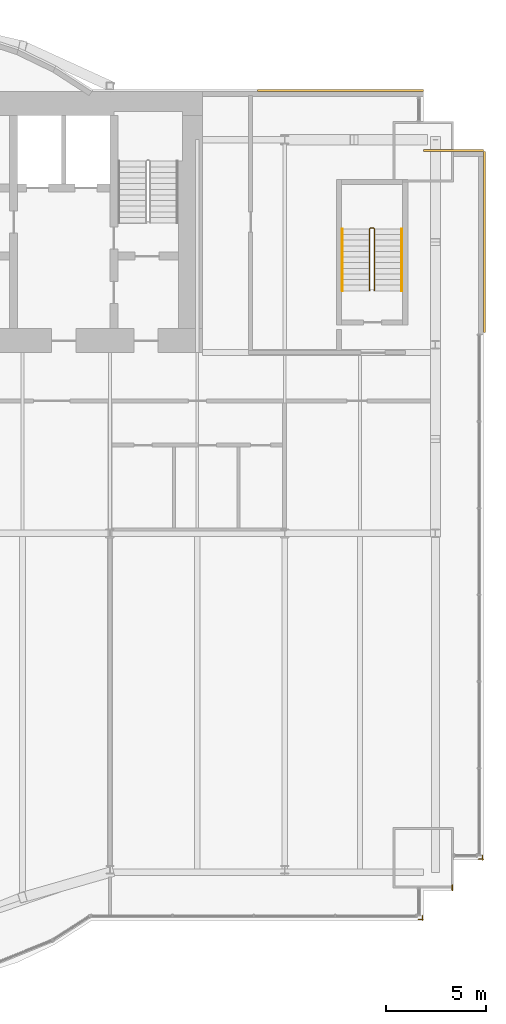
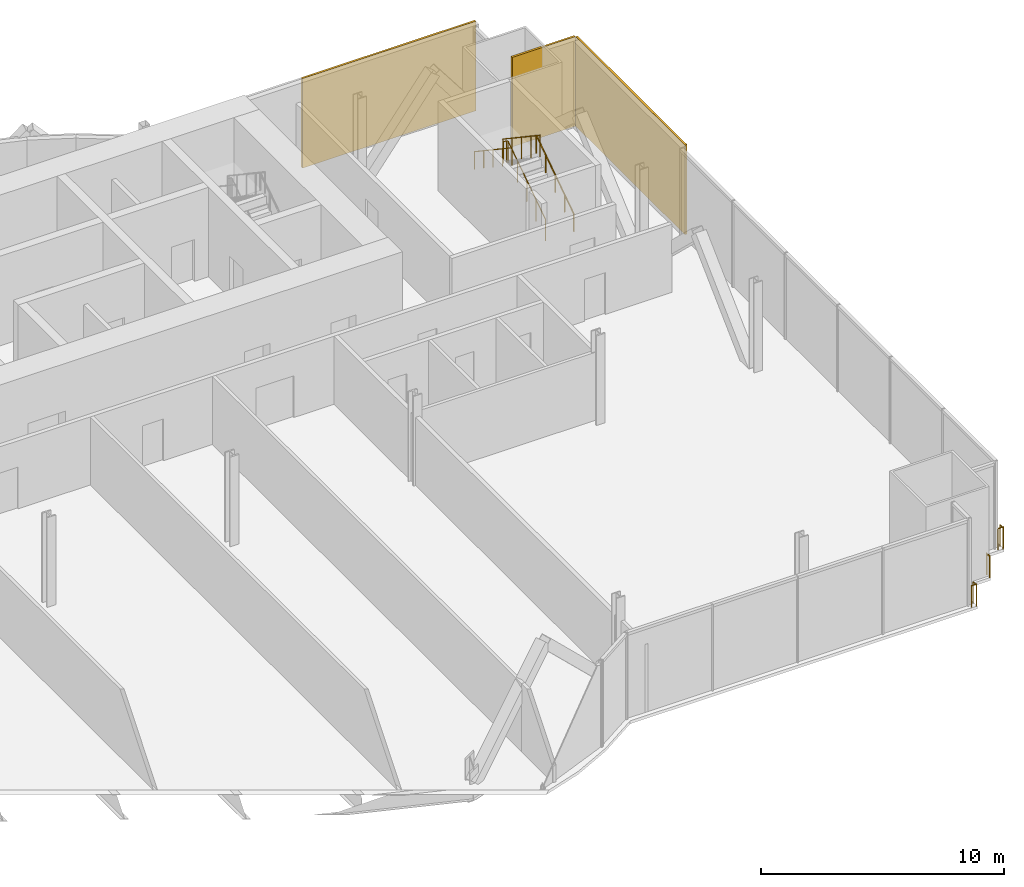
# One storey, part 21 of 21: 6 railings, 3 coverings.
"""IFC4 building model written with IfcOpenShell, lengths in metres."""

from ifc_helpers import new_model, si_unit, direction, frame, origin, origin_2d, place, context, subcontext, project, spatial, rectangle, circle, extrude, material, layer, layer_set, type_object, element, save


model = new_model("IFC4")

# Units and contexts
model_context = context("Model", 3, precision=1e-05, world=origin(), true_north=direction((0.0, 1.0)))
body_context = subcontext(model_context, "Body", "Model", "MODEL_VIEW")
ifc_project = project(units=[si_unit("LENGTHUNIT", "METRE"), si_unit("AREAUNIT", "SQUARE_METRE"), si_unit("VOLUMEUNIT", "CUBIC_METRE"), si_unit("PLANEANGLEUNIT", "RADIAN"), si_unit("MASSUNIT", "GRAM", prefix="KILO")], contexts=[model_context])

# Site, building, storey
site_placement = place(None, origin())
site = spatial("IfcSite", under=ifc_project, at=site_placement, CompositionType="ELEMENT")
building_placement = place(site_placement, origin())
building = spatial("IfcBuilding", under=site, at=building_placement, Name="Bicima Exchange Tower", CompositionType="ELEMENT")
storey_placement = place(building_placement, frame((0.0, 0.0, 48.5)))
storey = spatial("IfcBuildingStorey", under=building, at=storey_placement, Name="L09", CompositionType="ELEMENT", Elevation=48.5)

# Coverings
ifc_material_1 = material(Name="Bronze metal cladding")
ifc_layer_1 = layer(ifc_material_1, 0.004)
ifc_material_2 = material(Name="Ventilated cavity")
ifc_layer_2 = layer(ifc_material_2, 0.06)
ifc_material_3 = material(Name="Galvanised steel rail and mineral wool", Category="steel")
ifc_layer_3 = layer(ifc_material_3, 0.036)
ifc_layer_set = layer_set([ifc_layer_1, ifc_layer_2, ifc_layer_3], Name="Ventilated cavity")
covering_type = type_object("IfcCoveringType", Name="Bronze metal cladding panel 100", PredefinedType="CLADDING", material=ifc_layer_set)
covering_1_placement = place(storey_placement, frame((28.875, 0.050048828125, -0.14990234375), z_axis=(0.0, 0.0, 1.0), x_axis=(-1.0, 0.0, 0.0)))
element("IfcCovering", 1, at=covering_1_placement, inside=storey, type_object=covering_type, Name="Bronze cladding L09 1.1", PredefinedType="CLADDING", context=body_context, shape_type="SweptSolid", body=[
    extrude(rectangle(XDim=8.25, YDim=0.10009765625, at=origin_2d()), origin(), (0.0, 0.0, 1.0), 4.5),
])
covering_2_placement = place(storey_placement, frame((36.050048828125, -7.5, -0.14990234375), z_axis=(0.0, 0.0, 1.0), x_axis=(0.0, 1.0, 0.0)))
element("IfcCovering", 2, at=covering_2_placement, inside=storey, type_object=covering_type, Name="Bronze cladding L09 50.1", PredefinedType="CLADDING", context=body_context, shape_type="SweptSolid", body=[
    extrude(rectangle(XDim=9.0, YDim=0.10009765625, at=origin_2d()), origin(), (0.0, 0.0, 1.0), 4.5),
])
covering_3_placement = place(storey_placement, frame((34.5, -2.949951171875, -0.14990234375), z_axis=(0.0, 0.0, 1.0), x_axis=(-1.0, 0.0, 0.0)))
element("IfcCovering", 3, at=covering_3_placement, inside=storey, type_object=covering_type, Name="Bronze cladding L09 51.1", PredefinedType="CLADDING", context=body_context, shape_type="SweptSolid", body=[
    extrude(rectangle(XDim=3.0, YDim=0.10009765625, at=origin_2d()), origin(), (0.0, 0.0, 1.0), 4.5),
])

# Railings
ifc_material_4 = material(Name="Stainless steel and bonded safety glass", Category="steel")
railing_type_1 = type_object("IfcRailingType", Name="Edge guard 1100", PredefinedType="GUARDRAIL", material=ifc_material_4)
railing_1_placement = place(storey_placement, frame((35.949951171875, -38.02001953125, 0.0)))
element("IfcRailing", 4, at=railing_1_placement, inside=storey, type_object=railing_type_1, Name="Edge guard L09 34", PredefinedType="GUARDRAIL", context=body_context, shape_type="SweptSolid", body=[
    extrude(circle(Radius=0.02392578125, at=origin_2d()), frame((0.0, 0.0, 1.076171875), z_axis=(0.0, -1.0, 0.0), x_axis=(1.0, 0.0, 0.0)), (0.0, 0.0, 1.0), 0.248046875),
    extrude(circle(Radius=0.02392578125, at=origin_2d()), frame((0.0, -0.248046875, 1.076171875), z_axis=(0.707106781187, 0.707106781187, 0.0), x_axis=(-0.707106781187, 0.707106781187, 0.0)), (0.0, 0.0, 1.0), 0.07080078125),
    extrude(circle(Radius=0.02392578125, at=origin_2d()), frame((0.050048828125, -0.197998046875, 1.076171875), z_axis=(-1.0, 0.0, 0.0), x_axis=(0.0, -1.0, 0.0)), (0.0, 0.0, 1.0), 0.25),
    extrude(circle(Radius=0.02099609375, at=origin_2d()), origin(), (0.0, 0.0, 1.0), 1.052001953125),
    extrude(circle(Radius=0.02099609375, at=origin_2d()), frame((0.0, -0.248046875, 0.0)), (0.0, 0.0, 1.0), 1.052001953125),
    extrude(circle(Radius=0.02099609375, at=origin_2d()), frame((0.050048828125, -0.197998046875, 0.0)), (0.0, 0.0, 1.0), 1.052001953125),
    extrude(circle(Radius=0.02099609375, at=origin_2d()), frame((-0.199951171875, -0.197998046875, 0.0)), (0.0, 0.0, 1.0), 1.052001953125),
])
railing_2_placement = place(storey_placement, frame((34.449951171875, -39.51806640625, 0.0)))
element("IfcRailing", 5, at=railing_2_placement, inside=storey, type_object=railing_type_1, Name="Edge guard L09 35", PredefinedType="GUARDRAIL", context=body_context, shape_type="SweptSolid", body=[
    extrude(circle(Radius=0.02392578125, at=origin_2d()), frame((0.0, 0.0, 1.076171875), z_axis=(0.0, -1.0, 0.0), x_axis=(1.0, 0.0, 0.0)), (0.0, 0.0, 1.0), 0.25),
    extrude(circle(Radius=0.02099609375, at=origin_2d()), origin(), (0.0, 0.0, 1.0), 1.052001953125),
    extrude(circle(Radius=0.02099609375, at=origin_2d()), frame((0.0, -0.25, 0.0)), (0.0, 0.0, 1.0), 1.052001953125),
])
railing_3_placement = place(storey_placement, frame((32.949951171875, -41.01806640625, 0.0)))
element("IfcRailing", 6, at=railing_3_placement, inside=storey, type_object=railing_type_1, Name="Edge guard L09 36", PredefinedType="GUARDRAIL", context=body_context, shape_type="SweptSolid", body=[
    extrude(circle(Radius=0.02392578125, at=origin_2d()), frame((0.0, 0.0, 1.076171875), z_axis=(0.0, -1.0, 0.0), x_axis=(1.0, 0.0, 0.0)), (0.0, 0.0, 1.0), 0.25),
    extrude(circle(Radius=0.02392578125, at=origin_2d()), frame((0.0, -0.25, 1.076171875), z_axis=(0.707106781187, 0.707106781187, 0.0), x_axis=(-0.707106781187, 0.707106781187, 0.0)), (0.0, 0.0, 1.0), 0.07080078125),
    extrude(circle(Radius=0.02392578125, at=origin_2d()), frame((0.050048828125, -0.199951171875, 1.076171875), z_axis=(-1.0, 0.0, 0.0), x_axis=(0.0, -1.0, 0.0)), (0.0, 0.0, 1.0), 0.25),
    extrude(circle(Radius=0.02099609375, at=origin_2d()), origin(), (0.0, 0.0, 1.0), 1.052001953125),
    extrude(circle(Radius=0.02099609375, at=origin_2d()), frame((0.0, -0.25, 0.0)), (0.0, 0.0, 1.0), 1.052001953125),
    extrude(circle(Radius=0.02099609375, at=origin_2d()), frame((0.050048828125, -0.199951171875, 0.0)), (0.0, 0.0, 1.0), 1.052001953125),
    extrude(circle(Radius=0.02099609375, at=origin_2d()), frame((-0.199951171875, -0.199951171875, 0.0)), (0.0, 0.0, 1.0), 1.052001953125),
])
ifc_material_5 = material(Name="Stainless steel", Category="steel")
railing_type_2 = type_object("IfcRailingType", Name="Stair guard 1100", PredefinedType="GUARDRAIL", material=ifc_material_5)
railing_4_placement = place(storey_placement, frame((30.574951171875, -9.925048828125, 0.1875)))
element("IfcRailing", 7, at=railing_4_placement, inside=storey, type_object=railing_type_2, Name="L09 ST-EE stair guard 1", PredefinedType="GUARDRAIL", context=body_context, shape_type="SweptSolid", body=[
    extrude(circle(Radius=0.02392578125, at=origin_2d()), frame((0.0, 0.0, 1.076171875), z_axis=(0.0, 0.830913701846, 0.55640131208), x_axis=(-1.0, 0.0, 0.0)), (0.0, 0.0, 1.0), 3.706787109375),
    extrude(circle(Radius=0.02392578125, at=origin_2d()), frame((0.0, 3.080078125, 3.138671875), z_axis=(-0.707106781187, 0.707106781187, 0.0), x_axis=(-0.707106781187, -0.707106781187, 0.0)), (0.0, 0.0, 1.0), 0.07080078125),
    extrude(circle(Radius=0.02392578125, at=origin_2d()), frame((-0.050048828125, 3.130126953125, 3.138671875), z_axis=(-1.0, 0.0, 0.0), x_axis=(0.0, -1.0, 0.0)), (0.0, 0.0, 1.0), 0.14990234375),
    extrude(circle(Radius=0.02392578125, at=origin_2d()), frame((-0.199951171875, 3.130126953125, 3.138671875), z_axis=(-0.249726431254, -0.249726431254, 0.935560483917), x_axis=(0.707106781187, -0.707106781187, 0.0)), (0.0, 0.0, 1.0), 0.200439453125),
    extrude(circle(Radius=0.02392578125, at=origin_2d()), frame((-0.25, 3.080078125, 3.326171875), z_axis=(0.0, -0.830913701846, 0.55640131208), x_axis=(1.0, 0.0, 0.0)), (0.0, 0.0, 1.0), 3.706787109375),
    extrude(circle(Radius=0.02099609375, at=origin_2d()), origin(), (0.0, 0.0, 1.0), 1.052001953125),
    extrude(circle(Radius=0.02099609375, at=origin_2d()), frame((0.0, 0.77001953125, 0.515625)), (0.0, 0.0, 1.0), 1.052001953125),
    extrude(circle(Radius=0.02099609375, at=origin_2d()), frame((0.0, 1.5400390625, 1.03125)), (0.0, 0.0, 1.0), 1.052001953125),
    extrude(circle(Radius=0.02099609375, at=origin_2d()), frame((0.0, 2.31005859375, 1.546875)), (0.0, 0.0, 1.0), 1.052001953125),
    extrude(circle(Radius=0.02099609375, at=origin_2d()), frame((0.0, 3.080078125, 2.0625)), (0.0, 0.0, 1.0), 1.052001953125),
    extrude(circle(Radius=0.02099609375, at=origin_2d()), frame((-0.050048828125, 3.130126953125, 2.0625)), (0.0, 0.0, 1.0), 1.052001953125),
    extrude(circle(Radius=0.02099609375, at=origin_2d()), frame((-0.199951171875, 3.130126953125, 2.0625)), (0.0, 0.0, 1.0), 1.052001953125),
    extrude(circle(Radius=0.02099609375, at=origin_2d()), frame((-0.25, 3.080078125, 2.25)), (0.0, 0.0, 1.0), 1.052001953125),
    extrude(circle(Radius=0.02099609375, at=origin_2d()), frame((-0.25, 2.31005859375, 2.765625)), (0.0, 0.0, 1.0), 1.052001953125),
    extrude(circle(Radius=0.02099609375, at=origin_2d()), frame((-0.25, 1.5400390625, 3.28125)), (0.0, 0.0, 1.0), 1.052001953125),
    extrude(circle(Radius=0.02099609375, at=origin_2d()), frame((-0.25, 0.77001953125, 3.796875)), (0.0, 0.0, 1.0), 1.052001953125),
    extrude(circle(Radius=0.02099609375, at=origin_2d()), frame((-0.25, 0.0, 4.3125)), (0.0, 0.0, 1.0), 1.052001953125),
])
railing_type_3 = type_object("IfcRailingType", Name="Stair handrail 900", PredefinedType="HANDRAIL", material=ifc_material_5)
railing_5_placement = place(storey_placement, frame((31.925048828125, -9.925048828125, 0.1875)))
element("IfcRailing", 8, at=railing_5_placement, inside=storey, type_object=railing_type_3, Name="L09 ST-EE stair handrail 1", PredefinedType="HANDRAIL", context=body_context, shape_type="SweptSolid", body=[
    extrude(circle(Radius=0.02392578125, at=origin_2d()), frame((0.0, 0.0, 0.8759765625), z_axis=(0.0, 0.830913701846, 0.55640131208), x_axis=(-1.0, 0.0, 0.0)), (0.0, 0.0, 1.0), 3.706787109375),
    extrude(circle(Radius=0.02099609375, at=origin_2d()), origin(), (0.0, 0.0, 1.0), 0.851806640625),
    extrude(circle(Radius=0.02099609375, at=origin_2d()), frame((0.0, 0.77001953125, 0.515625)), (0.0, 0.0, 1.0), 0.851806640625),
    extrude(circle(Radius=0.02099609375, at=origin_2d()), frame((0.0, 1.5400390625, 1.03125)), (0.0, 0.0, 1.0), 0.851806640625),
    extrude(circle(Radius=0.02099609375, at=origin_2d()), frame((0.0, 2.31005859375, 1.546875)), (0.0, 0.0, 1.0), 0.851806640625),
    extrude(circle(Radius=0.02099609375, at=origin_2d()), frame((0.0, 3.080078125, 2.0625)), (0.0, 0.0, 1.0), 0.851806640625),
])
railing_6_placement = place(storey_placement, frame((28.97509765625, -6.844970703125, 2.47900390625)))
element("IfcRailing", 9, at=railing_6_placement, inside=storey, type_object=railing_type_3, Name="L09 ST-EE stair handrail 2", PredefinedType="HANDRAIL", context=body_context, shape_type="SweptSolid", body=[
    extrude(circle(Radius=0.02392578125, at=origin_2d()), frame((0.0, 0.0, 0.8759765625), z_axis=(0.0, -0.830913701846, 0.55640131208), x_axis=(1.0, 0.0, 0.0)), (0.0, 0.0, 1.0), 3.706787109375),
    extrude(circle(Radius=0.02099609375, at=origin_2d()), origin(), (0.0, 0.0, 1.0), 0.851806640625),
    extrude(circle(Radius=0.02099609375, at=origin_2d()), frame((0.0, -0.77001953125, 0.515625)), (0.0, 0.0, 1.0), 0.851806640625),
    extrude(circle(Radius=0.02099609375, at=origin_2d()), frame((0.0, -1.5400390625, 1.03125)), (0.0, 0.0, 1.0), 0.851806640625),
    extrude(circle(Radius=0.02099609375, at=origin_2d()), frame((0.0, -2.31005859375, 1.546875)), (0.0, 0.0, 1.0), 0.851806640625),
    extrude(circle(Radius=0.02099609375, at=origin_2d()), frame((0.0, -3.080078125, 2.0625)), (0.0, 0.0, 1.0), 0.851806640625),
])

save(model, "model.ifc")
